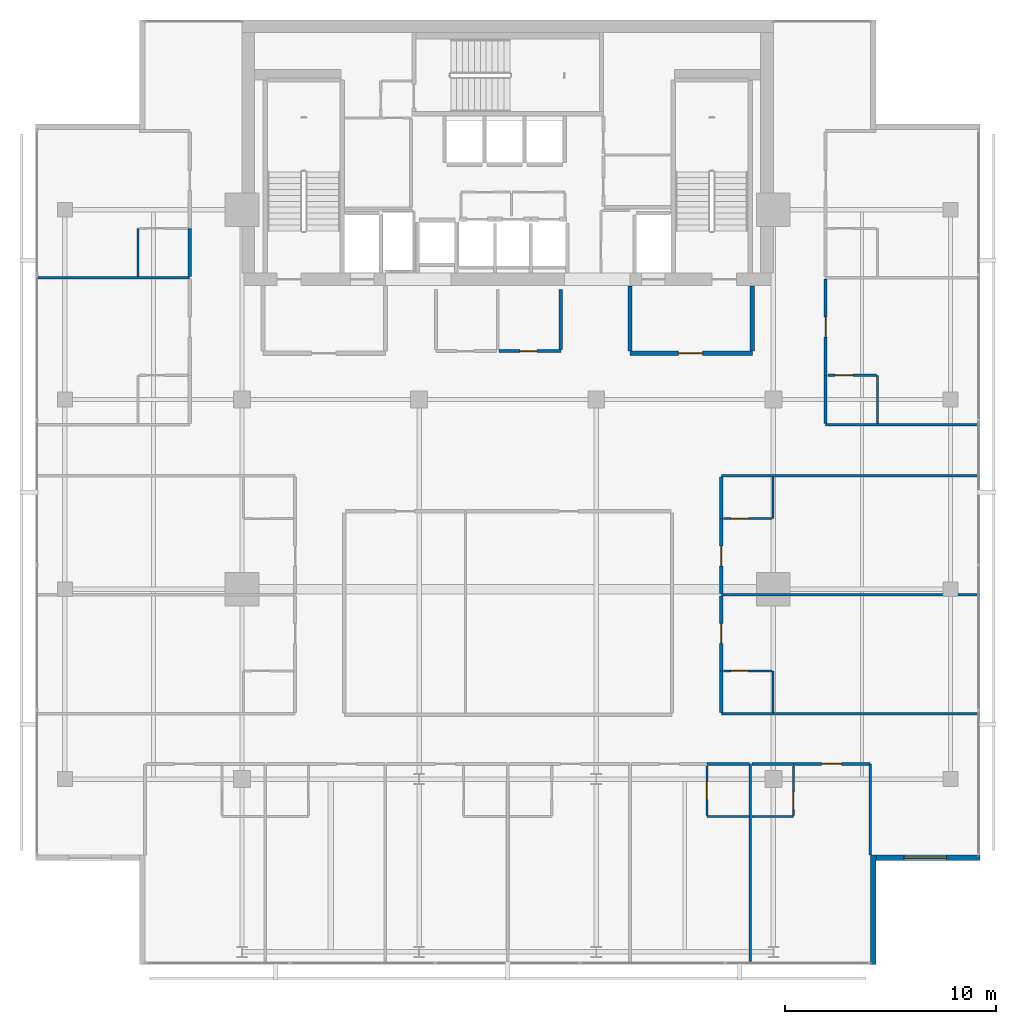
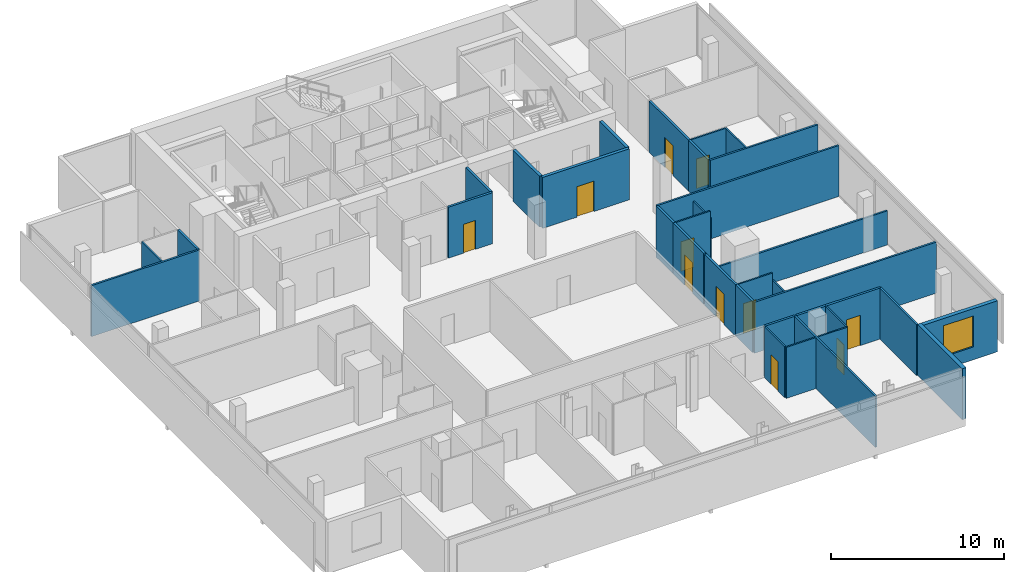
# One storey, part 21 of 26: 35 walls, 11 doors, 1 window, 12 openings.
"""IFC4 building model written with IfcOpenShell, lengths in metres."""

from ifc_helpers import new_model, si_unit, direction, frame, frame_2d, origin, place, context, subcontext, project, spatial, rectangle, extrude, material, layer, layer_set, type_object, element, fill, save


model = new_model("IFC4")

# Units and contexts
model_context = context("Model", 3, precision=1e-05, world=origin(), true_north=direction((0.0, 1.0)))
body_context = subcontext(model_context, "Body", "Model", "MODEL_VIEW")
ifc_project = project(units=[si_unit("LENGTHUNIT", "METRE"), si_unit("AREAUNIT", "SQUARE_METRE"), si_unit("VOLUMEUNIT", "CUBIC_METRE"), si_unit("PLANEANGLEUNIT", "RADIAN"), si_unit("MASSUNIT", "GRAM", prefix="KILO")], contexts=[model_context])

# Site, building, storey
site_placement = place(None, origin())
site = spatial("IfcSite", under=ifc_project, at=site_placement, CompositionType="ELEMENT")
building_placement = place(site_placement, origin())
building = spatial("IfcBuilding", under=site, at=building_placement, Name="Maruvema Waterfront Hotel and Observation Tower", CompositionType="ELEMENT")
storey_placement = place(building_placement, frame((0.0, 0.0, 243.25)))
storey = spatial("IfcBuildingStorey", under=building, at=storey_placement, Name="L59", CompositionType="ELEMENT", Elevation=243.25)

# Wall, opening, door
ifc_material_1 = material(Name="Twin-stud acoustic gypsum drywall", Category="gypsum")
ifc_layer_1 = layer(ifc_material_1, 0.14990234375, Name="Acoustic Corridor and Suite Demising Wall 150 mm")
ifc_layer_set_1 = layer_set([ifc_layer_1], Name="Twin-stud acoustic gypsum drywall")
wall_type_1 = type_object("IfcWallType", Name="Acoustic Corridor and Suite Demising Wall 150 mm", PredefinedType="PARTITIONING", material=ifc_layer_set_1)
wall_1_placement = place(storey_placement, frame((37.3798828125, 38.300048828125, 0.0), z_axis=(0.0, 0.0, 1.0), x_axis=(1.0, 0.0, 0.0)))
wall_1 = element("IfcWall", 1, at=wall_1_placement, inside=storey, type_object=wall_type_1, Name="L59 Core Apron K2B South 027", PredefinedType="PARTITIONING", context=body_context, shape_type="SweptSolid", body=[
    extrude(rectangle(XDim=2.940185546875, YDim=0.14990234375, at=frame_2d((1.47021484375, 0.0))), origin(), (0.0, 0.0, 1.0), 3.610107421875),
])
opening_1_placement = place(wall_1_placement, frame((1.0, 0.0, 0.0)))
opening_1 = element("IfcOpeningElement", 2, at=opening_1_placement, cuts=wall_1, Name="Opening DR-080", PredefinedType="OPENING", context=body_context, shape_type="SweptSolid", body=[
    extrude(rectangle(XDim=0.800048828125, YDim=2.050048828125, at=frame_2d((0.39990234375, 1.02490234375))), frame((0.0, 0.0849609375, 0.0), z_axis=(0.0, -1.0, 0.0), x_axis=(1.0, 0.0, 0.0)), (0.0, 0.0, 1.0), 0.169921875),
])
ifc_material_2 = material(Name="Powder-coated steel access leaf", Category="steel")
door_type_1 = type_object("IfcDoorType", Name="Riser and Service Cupboard Door 800x2050 mm", OperationType="NOTDEFINED", PredefinedType="DOOR", material=ifc_material_2)
door_1_placement = place(opening_1_placement, frame((0.800048828125, 0.0, 0.0), z_axis=(0.0, 0.0, 1.0), x_axis=(-1.0, 0.0, 0.0)))
door_1 = element("IfcDoor", 3, at=door_1_placement, inside=storey, type_object=door_type_1, Name="L59 Core Valet Closet Door", OperationType="SINGLE_SWING_LEFT", OverallHeight=2.050048828125, OverallWidth=0.800048828125, PredefinedType="DOOR", context=body_context, shape_type="SweptSolid", body=[
    extrude(rectangle(XDim=0.800048828125, YDim=2.050048828125, at=frame_2d((0.39990234375, 1.02490234375))), frame((0.0, 0.02490234375, 0.0), z_axis=(0.0, -1.0, 0.0), x_axis=(1.0, 0.0, 0.0)), (0.0, 0.0, 1.0), 0.050048828125),
])
fill(opening_1, door_1)

# Walls
wall_2_placement = place(storey_placement, frame((40.320068359375, 38.3798828125, 0.0), z_axis=(0.0, 0.0, 1.0), x_axis=(0.0, 1.0, 0.0)))
element("IfcWall", 4, at=wall_2_placement, inside=storey, type_object=wall_type_1, Name="L59 Core Apron K2 East 030", PredefinedType="PARTITIONING", context=body_context, shape_type="SweptSolid", body=[
    extrude(rectangle(XDim=2.840087890625, YDim=0.14990234375, at=frame_2d((1.419921875, 0.0))), origin(), (0.0, 0.0, 1.0), 3.610107421875),
])
wall_3_placement = place(storey_placement, frame((47.25, 18.719970703125, 0.0), z_axis=(0.0, 0.0, 1.0), x_axis=(1.0, 0.0, 0.0)))
element("IfcWall", 5, at=wall_3_placement, inside=storey, type_object=wall_type_1, Name="L59 Bath L59-S5 Back Wall 059", PredefinedType="PARTITIONING", context=body_context, shape_type="SweptSolid", body=[
    extrude(rectangle(XDim=2.030029296875, YDim=0.14990234375, at=frame_2d((1.01513671875, 0.0))), origin(), (0.0, 0.0, 1.0), 3.610107421875),
])
wall_4_placement = place(storey_placement, frame((49.3798828125, 18.719970703125, 0.0), z_axis=(0.0, 0.0, 1.0), x_axis=(1.0, 0.0, 0.0)))
element("IfcWall", 6, at=wall_4_placement, inside=storey, type_object=wall_type_1, Name="L59 Bath L59-S6 Back Wall 064", PredefinedType="PARTITIONING", context=body_context, shape_type="SweptSolid", body=[
    extrude(rectangle(XDim=1.97021484375, YDim=0.14990234375, at=frame_2d((0.985107421875, 0.0))), origin(), (0.0, 0.0, 1.0), 3.610107421875),
])

# Wall, opening, door
wall_5_placement = place(storey_placement, frame((51.35009765625, 18.719970703125, 0.0), z_axis=(0.0, 0.0, 1.0), x_axis=(1.0, 0.0, 0.0)))
wall_5 = element("IfcWall", 7, at=wall_5_placement, inside=storey, type_object=wall_type_1, Name="L59 Unit L59-S6 Corridor Wall 067", PredefinedType="PARTITIONING", context=body_context, shape_type="SweptSolid", body=[
    extrude(rectangle(XDim=3.6298828125, YDim=0.14990234375, at=frame_2d((1.81494140625, 0.0))), origin(), (0.0, 0.0, 1.0), 3.610107421875),
])
opening_2_placement = place(wall_5_placement, frame((1.340087890625, 0.0, 0.0)))
opening_2 = element("IfcOpeningElement", 8, at=opening_2_placement, cuts=wall_5, Name="Opening DR-095", PredefinedType="OPENING", context=body_context, shape_type="SweptSolid", body=[
    extrude(rectangle(XDim=0.949951171875, YDim=2.14990234375, at=frame_2d((0.47509765625, 1.074951171875))), frame((0.0, 0.0849609375, 0.0), z_axis=(0.0, -1.0, 0.0), x_axis=(1.0, 0.0, 0.0)), (0.0, 0.0, 1.0), 0.169921875),
])
ifc_material_3 = material(Name="Acoustic solid-core hardwood timber leaf", Category="wood")
door_type_2 = type_object("IfcDoorType", Name="Guestroom Entrance Fire Door 950x2150 mm", OperationType="NOTDEFINED", PredefinedType="DOOR", material=ifc_material_3)
door_2_placement = place(opening_2_placement, frame((0.949951171875, 0.0, 0.0), z_axis=(0.0, 0.0, 1.0), x_axis=(-1.0, 0.0, 0.0)))
door_2 = element("IfcDoor", 9, at=door_2_placement, inside=storey, type_object=door_type_2, Name="L59 Unit L59-S6 Entrance Door", OperationType="SINGLE_SWING_LEFT", OverallHeight=2.14990234375, OverallWidth=0.949951171875, PredefinedType="DOOR", context=body_context, shape_type="SweptSolid", body=[
    extrude(rectangle(XDim=0.949951171875, YDim=2.14990234375, at=frame_2d((0.47509765625, 1.074951171875))), frame((0.0, 0.02490234375, 0.0), z_axis=(0.0, -1.0, 0.0), x_axis=(1.0, 0.0, 0.0)), (0.0, 0.0, 1.0), 0.050048828125),
])
fill(opening_2, door_2)

# Wall
wall_6_placement = place(storey_placement, frame((47.929931640625, 21.159912109375, 0.0), z_axis=(0.0, 0.0, 1.0), x_axis=(0.0, 1.0, 0.0)))
element("IfcWall", 10, at=wall_6_placement, inside=storey, type_object=wall_type_1, Name="L59 Bath L59-E1 Wall 076", PredefinedType="PARTITIONING", context=body_context, shape_type="SweptSolid", body=[
    extrude(rectangle(XDim=1.969970703125, YDim=0.14990234375, at=frame_2d((0.98486328125, 0.0))), origin(), (0.0, 0.0, 1.0), 3.610107421875),
])

# Wall, opening, door
wall_7_placement = place(storey_placement, frame((47.929931640625, 23.1298828125, 0.0), z_axis=(0.0, 0.0, 1.0), x_axis=(0.0, 1.0, 0.0)))
wall_7 = element("IfcWall", 11, at=wall_7_placement, inside=storey, type_object=wall_type_1, Name="L59 Room L59-E1 Corridor Wall 077", PredefinedType="PARTITIONING", context=body_context, shape_type="SweptSolid", body=[
    extrude(rectangle(XDim=3.550048828125, YDim=0.14990234375, at=frame_2d((1.77490234375, 0.0))), origin(), (0.0, 0.0, 1.0), 3.610107421875),
])
opening_3_placement = place(wall_7_placement, frame((1.300048828125, 0.0, 0.0)))
opening_3 = element("IfcOpeningElement", 12, at=opening_3_placement, cuts=wall_7, Name="Opening DR-095", PredefinedType="OPENING", context=body_context, shape_type="SweptSolid", body=[
    extrude(rectangle(XDim=0.949951171875, YDim=2.14990234375, at=frame_2d((0.47509765625, 1.074951171875))), frame((0.0, 0.0849609375, 0.0), z_axis=(0.0, -1.0, 0.0), x_axis=(1.0, 0.0, 0.0)), (0.0, 0.0, 1.0), 0.169921875),
])
door_3_placement = place(opening_3_placement, frame((0.949951171875, 0.0, 0.0), z_axis=(0.0, 0.0, 1.0), x_axis=(-1.0, 0.0, 0.0)))
door_3 = element("IfcDoor", 13, at=door_3_placement, inside=storey, type_object=door_type_2, Name="L59 Room L59-E1 Entrance Door", OperationType="SINGLE_SWING_LEFT", OverallHeight=2.14990234375, OverallWidth=0.949951171875, PredefinedType="DOOR", context=body_context, shape_type="SweptSolid", body=[
    extrude(rectangle(XDim=0.949951171875, YDim=2.14990234375, at=frame_2d((0.47509765625, 1.074951171875))), frame((0.0, 0.02490234375, 0.0), z_axis=(0.0, -1.0, 0.0), x_axis=(1.0, 0.0, 0.0)), (0.0, 0.0, 1.0), 0.050048828125),
])
fill(opening_3, door_3)

wall_8_placement = place(storey_placement, frame((47.929931640625, 26.800048828125, 0.0), z_axis=(0.0, 0.0, 1.0), x_axis=(0.0, 1.0, 0.0)))
wall_8 = element("IfcWall", 14, at=wall_8_placement, inside=storey, type_object=wall_type_1, Name="L59 Room L59-E2 Corridor Wall 086", PredefinedType="PARTITIONING", context=body_context, shape_type="SweptSolid", body=[
    extrude(rectangle(XDim=3.550048828125, YDim=0.14990234375, at=frame_2d((1.77490234375, 0.0))), origin(), (0.0, 0.0, 1.0), 3.610107421875),
])
opening_4_placement = place(wall_8_placement, frame((1.300048828125, 0.0, 0.0)))
opening_4 = element("IfcOpeningElement", 15, at=opening_4_placement, cuts=wall_8, Name="Opening DR-095", PredefinedType="OPENING", context=body_context, shape_type="SweptSolid", body=[
    extrude(rectangle(XDim=0.949951171875, YDim=2.14990234375, at=frame_2d((0.47509765625, 1.074951171875))), frame((0.0, 0.0849609375, 0.0), z_axis=(0.0, -1.0, 0.0), x_axis=(1.0, 0.0, 0.0)), (0.0, 0.0, 1.0), 0.169921875),
])
door_4_placement = place(opening_4_placement, frame((0.949951171875, 0.0, 0.0), z_axis=(0.0, 0.0, 1.0), x_axis=(-1.0, 0.0, 0.0)))
door_4 = element("IfcDoor", 16, at=door_4_placement, inside=storey, type_object=door_type_2, Name="L59 Room L59-E2 Entrance Door", OperationType="SINGLE_SWING_LEFT", OverallHeight=2.14990234375, OverallWidth=0.949951171875, PredefinedType="DOOR", context=body_context, shape_type="SweptSolid", body=[
    extrude(rectangle(XDim=0.949951171875, YDim=2.14990234375, at=frame_2d((0.47509765625, 1.074951171875))), frame((0.0, 0.02490234375, 0.0), z_axis=(0.0, -1.0, 0.0), x_axis=(1.0, 0.0, 0.0)), (0.0, 0.0, 1.0), 0.050048828125),
])
fill(opening_4, door_4)

# Walls
wall_9_placement = place(storey_placement, frame((47.929931640625, 30.35009765625, 0.0), z_axis=(0.0, 0.0, 1.0), x_axis=(0.0, 1.0, 0.0)))
element("IfcWall", 17, at=wall_9_placement, inside=storey, type_object=wall_type_1, Name="L59 Bath L59-E2 Wall 087", PredefinedType="PARTITIONING", context=body_context, shape_type="SweptSolid", body=[
    extrude(rectangle(XDim=1.969970703125, YDim=0.14990234375, at=frame_2d((0.98486328125, 0.0))), origin(), (0.0, 0.0, 1.0), 3.610107421875),
])
wall_10_placement = place(storey_placement, frame((52.8798828125, 34.860107421875, 0.0), z_axis=(0.0, 0.0, 1.0), x_axis=(0.0, 1.0, 0.0)))
element("IfcWall", 18, at=wall_10_placement, inside=storey, type_object=wall_type_1, Name="L59 Bath L59-NE1 Wall 098", PredefinedType="PARTITIONING", context=body_context, shape_type="SweptSolid", body=[
    extrude(rectangle(XDim=2.289794921875, YDim=0.14990234375, at=frame_2d((1.14501953125, 0.0))), origin(), (0.0, 0.0, 1.0), 3.610107421875),
])

# Wall, opening, door
wall_11_placement = place(storey_placement, frame((52.8798828125, 37.14990234375, 0.0), z_axis=(0.0, 0.0, 1.0), x_axis=(0.0, 1.0, 0.0)))
wall_11 = element("IfcWall", 19, at=wall_11_placement, inside=storey, type_object=wall_type_1, Name="L59 Room L59-NE1 Corridor Wall 099", PredefinedType="PARTITIONING", context=body_context, shape_type="SweptSolid", body=[
    extrude(rectangle(XDim=4.558837890625, YDim=0.14990234375, at=frame_2d((2.279296875, 0.0))), origin(), (0.0, 0.0, 1.0), 3.610107421875),
])
opening_5_placement = place(wall_11_placement, frame((1.804443359375, 0.0, 0.0)))
opening_5 = element("IfcOpeningElement", 20, at=opening_5_placement, cuts=wall_11, Name="Opening DR-095", PredefinedType="OPENING", context=body_context, shape_type="SweptSolid", body=[
    extrude(rectangle(XDim=0.949951171875, YDim=2.14990234375, at=frame_2d((0.47509765625, 1.074951171875))), frame((0.0, 0.0849609375, 0.0), z_axis=(0.0, -1.0, 0.0), x_axis=(1.0, 0.0, 0.0)), (0.0, 0.0, 1.0), 0.169921875),
])
door_5_placement = place(opening_5_placement, frame((0.949951171875, 0.0, 0.0), z_axis=(0.0, 0.0, 1.0), x_axis=(-1.0, 0.0, 0.0)))
door_5 = element("IfcDoor", 21, at=door_5_placement, inside=storey, type_object=door_type_2, Name="L59 Room L59-NE1 Entrance Door", OperationType="SINGLE_SWING_LEFT", OverallHeight=2.14990234375, OverallWidth=0.949951171875, PredefinedType="DOOR", context=body_context, shape_type="SweptSolid", body=[
    extrude(rectangle(XDim=0.949951171875, YDim=2.14990234375, at=frame_2d((0.47509765625, 1.074951171875))), frame((0.0, 0.02490234375, 0.0), z_axis=(0.0, -1.0, 0.0), x_axis=(1.0, 0.0, 0.0)), (0.0, 0.0, 1.0), 0.050048828125),
])
fill(opening_5, door_5)

# Walls
wall_12_placement = place(storey_placement, frame((22.719970703125, 41.82861328125, 0.0), z_axis=(0.0, 0.0, 1.0), x_axis=(0.0, 1.0, 0.0)))
element("IfcWall", 22, at=wall_12_placement, inside=storey, type_object=wall_type_1, Name="L59 Bath L59-NW2 Wall 104", PredefinedType="PARTITIONING", context=body_context, shape_type="SweptSolid", body=[
    extrude(rectangle(XDim=2.2900390625, YDim=0.14990234375, at=frame_2d((1.14501953125, 0.0))), origin(), (0.0, 0.0, 1.0), 3.610107421875),
])
ifc_material_4 = material(Name="Moisture-resistant cement-board drywall", Category="gypsum")
ifc_layer_2 = layer(ifc_material_4, 0.10009765625, Name="En-Suite Moisture-Resistant Partition 100 mm")
ifc_layer_set_2 = layer_set([ifc_layer_2], Name="Moisture-resistant cement-board drywall")
wall_type_2 = type_object("IfcWallType", Name="En-Suite Moisture-Resistant Partition 100 mm", PredefinedType="PARTITIONING", material=ifc_layer_set_2)
wall_13_placement = place(storey_placement, frame((47.25, 16.219970703125, 0.0), z_axis=(0.0, 0.0, 1.0), x_axis=(1.0, 0.0, 0.0)))
element("IfcWall", 23, at=wall_13_placement, inside=storey, type_object=wall_type_2, Name="L59 En-Suite L59-S5 South 060", PredefinedType="PARTITIONING", context=body_context, shape_type="SweptSolid", body=[
    extrude(rectangle(XDim=2.010009765625, YDim=0.10009765625, at=frame_2d((1.0048828125, 0.0))), origin(), (0.0, 0.0, 1.0), 3.610107421875),
])

# Wall, opening, door
wall_14_placement = place(storey_placement, frame((47.25, 16.280029296875, 0.0), z_axis=(0.0, 0.0, 1.0), x_axis=(0.0, 1.0, 0.0)))
wall_14 = element("IfcWall", 24, at=wall_14_placement, inside=storey, type_object=wall_type_2, Name="L59 En-Suite L59-S5 West 061", PredefinedType="PARTITIONING", context=body_context, shape_type="SweptSolid", body=[
    extrude(rectangle(XDim=2.340087890625, YDim=0.10009765625, at=frame_2d((1.169921875, 0.0))), origin(), (0.0, 0.0, 1.0), 3.610107421875),
])
opening_6_placement = place(wall_14_placement, frame((0.7451171875, 0.0, 0.0)))
opening_6 = element("IfcOpeningElement", 25, at=opening_6_placement, cuts=wall_14, Name="Opening DR-085", PredefinedType="OPENING", context=body_context, shape_type="SweptSolid", body=[
    extrude(rectangle(XDim=0.85009765625, YDim=2.10009765625, at=frame_2d((0.425048828125, 1.050048828125))), frame((0.0, 0.06005859375, 0.0), z_axis=(0.0, -1.0, 0.0), x_axis=(1.0, 0.0, 0.0)), (0.0, 0.0, 1.0), 0.1201171875),
])
ifc_material_5 = material(Name="Moisture-resistant solid timber leaf", Category="wood")
door_type_3 = type_object("IfcDoorType", Name="En-Suite Bathroom Door 850x2100 mm", OperationType="NOTDEFINED", PredefinedType="DOOR", material=ifc_material_5)
door_6_placement = place(opening_6_placement, origin())
door_6 = element("IfcDoor", 26, at=door_6_placement, inside=storey, type_object=door_type_3, Name="L59 En-Suite L59-S5 Door", OperationType="SINGLE_SWING_RIGHT", OverallHeight=2.10009765625, OverallWidth=0.85009765625, PredefinedType="DOOR", context=body_context, shape_type="SweptSolid", body=[
    extrude(rectangle(XDim=0.85009765625, YDim=2.10009765625, at=frame_2d((0.425048828125, 1.050048828125))), frame((0.0, 0.02490234375, 0.0), z_axis=(0.0, -1.0, 0.0), x_axis=(1.0, 0.0, 0.0)), (0.0, 0.0, 1.0), 0.050048828125),
])
fill(opening_6, door_6)

# Wall
wall_15_placement = place(storey_placement, frame((49.3798828125, 16.219970703125, 0.0), z_axis=(0.0, 0.0, 1.0), x_axis=(1.0, 0.0, 0.0)))
element("IfcWall", 27, at=wall_15_placement, inside=storey, type_object=wall_type_2, Name="L59 En-Suite L59-S6 South 065", PredefinedType="PARTITIONING", context=body_context, shape_type="SweptSolid", body=[
    extrude(rectangle(XDim=1.97021484375, YDim=0.10009765625, at=frame_2d((0.985107421875, 0.0))), origin(), (0.0, 0.0, 1.0), 3.610107421875),
])

# Wall, opening, door
wall_16_placement = place(storey_placement, frame((51.35009765625, 16.280029296875, 0.0), z_axis=(0.0, 0.0, 1.0), x_axis=(0.0, 1.0, 0.0)))
wall_16 = element("IfcWall", 28, at=wall_16_placement, inside=storey, type_object=wall_type_2, Name="L59 En-Suite L59-S6 East 066", PredefinedType="PARTITIONING", context=body_context, shape_type="SweptSolid", body=[
    extrude(rectangle(XDim=2.340087890625, YDim=0.10009765625, at=frame_2d((1.169921875, 0.0))), origin(), (0.0, 0.0, 1.0), 3.610107421875),
])
opening_7_placement = place(wall_16_placement, frame((0.264892578125, 0.0, 0.0)))
opening_7 = element("IfcOpeningElement", 29, at=opening_7_placement, cuts=wall_16, Name="Opening DR-085", PredefinedType="OPENING", context=body_context, shape_type="SweptSolid", body=[
    extrude(rectangle(XDim=0.85009765625, YDim=2.10009765625, at=frame_2d((0.425048828125, 1.050048828125))), frame((0.0, 0.06005859375, 0.0), z_axis=(0.0, -1.0, 0.0), x_axis=(1.0, 0.0, 0.0)), (0.0, 0.0, 1.0), 0.1201171875),
])
door_7_placement = place(opening_7_placement, frame((0.85009765625, 0.0, 0.0), z_axis=(0.0, 0.0, 1.0), x_axis=(-1.0, 0.0, 0.0)))
door_7 = element("IfcDoor", 30, at=door_7_placement, inside=storey, type_object=door_type_3, Name="L59 En-Suite L59-S6 Door", OperationType="SINGLE_SWING_RIGHT", OverallHeight=2.10009765625, OverallWidth=0.85009765625, PredefinedType="DOOR", context=body_context, shape_type="SweptSolid", body=[
    extrude(rectangle(XDim=0.85009765625, YDim=2.10009765625, at=frame_2d((0.425048828125, 1.050048828125))), frame((0.0, 0.02490234375, 0.0), z_axis=(0.0, -1.0, 0.0), x_axis=(1.0, 0.0, 0.0)), (0.0, 0.0, 1.0), 0.050048828125),
])
fill(opening_7, door_7)

# Wall
wall_17_placement = place(storey_placement, frame((50.3798828125, 21.159912109375, 0.0), z_axis=(0.0, 0.0, 1.0), x_axis=(0.0, 1.0, 0.0)))
element("IfcWall", 31, at=wall_17_placement, inside=storey, type_object=wall_type_2, Name="L59 En-Suite L59-E1 E 078", PredefinedType="PARTITIONING", context=body_context, shape_type="SweptSolid", body=[
    extrude(rectangle(XDim=1.969970703125, YDim=0.10009765625, at=frame_2d((0.98486328125, 0.0))), origin(), (0.0, 0.0, 1.0), 3.076904296875),
])

# Wall, opening, door
wall_18_placement = place(storey_placement, frame((48.030029296875, 23.1298828125, 0.0), z_axis=(0.0, 0.0, 1.0), x_axis=(1.0, 0.0, 0.0)))
wall_18 = element("IfcWall", 32, at=wall_18_placement, inside=storey, type_object=wall_type_2, Name="L59 En-Suite L59-E1 N 079", PredefinedType="PARTITIONING", context=body_context, shape_type="SweptSolid", body=[
    extrude(rectangle(XDim=2.300048828125, YDim=0.10009765625, at=frame_2d((1.14990234375, 0.0))), origin(), (0.0, 0.0, 1.0), 3.610107421875),
])
opening_8_placement = place(wall_18_placement, frame((0.35009765625, 0.0, 0.0)))
opening_8 = element("IfcOpeningElement", 33, at=opening_8_placement, cuts=wall_18, Name="Opening DR-085", PredefinedType="OPENING", context=body_context, shape_type="SweptSolid", body=[
    extrude(rectangle(XDim=0.85009765625, YDim=2.10009765625, at=frame_2d((0.425048828125, 1.050048828125))), frame((0.0, 0.06005859375, 0.0), z_axis=(0.0, -1.0, 0.0), x_axis=(1.0, 0.0, 0.0)), (0.0, 0.0, 1.0), 0.1201171875),
])
door_8_placement = place(opening_8_placement, origin())
door_8 = element("IfcDoor", 34, at=door_8_placement, inside=storey, type_object=door_type_3, Name="L59 En-Suite L59-E1 Door", OperationType="SINGLE_SWING_RIGHT", OverallHeight=2.10009765625, OverallWidth=0.85009765625, PredefinedType="DOOR", context=body_context, shape_type="SweptSolid", body=[
    extrude(rectangle(XDim=0.85009765625, YDim=2.10009765625, at=frame_2d((0.425048828125, 1.050048828125))), frame((0.0, 0.02490234375, 0.0), z_axis=(0.0, -1.0, 0.0), x_axis=(1.0, 0.0, 0.0)), (0.0, 0.0, 1.0), 0.050048828125),
])
fill(opening_8, door_8)

# Wall
wall_19_placement = place(storey_placement, frame((50.3798828125, 30.35009765625, 0.0), z_axis=(0.0, 0.0, 1.0), x_axis=(0.0, 1.0, 0.0)))
element("IfcWall", 35, at=wall_19_placement, inside=storey, type_object=wall_type_2, Name="L59 En-Suite L59-E2 E 088", PredefinedType="PARTITIONING", context=body_context, shape_type="SweptSolid", body=[
    extrude(rectangle(XDim=1.969970703125, YDim=0.10009765625, at=frame_2d((0.98486328125, 0.0))), origin(), (0.0, 0.0, 1.0), 3.076904296875),
])

# Wall, opening, door
wall_20_placement = place(storey_placement, frame((48.030029296875, 30.35009765625, 0.0), z_axis=(0.0, 0.0, 1.0), x_axis=(1.0, 0.0, 0.0)))
wall_20 = element("IfcWall", 36, at=wall_20_placement, inside=storey, type_object=wall_type_2, Name="L59 En-Suite L59-E2 S 089", PredefinedType="PARTITIONING", context=body_context, shape_type="SweptSolid", body=[
    extrude(rectangle(XDim=2.300048828125, YDim=0.10009765625, at=frame_2d((1.14990234375, 0.0))), origin(), (0.0, 0.0, 1.0), 3.610107421875),
])
opening_9_placement = place(wall_20_placement, frame((0.35009765625, 0.0, 0.0)))
opening_9 = element("IfcOpeningElement", 37, at=opening_9_placement, cuts=wall_20, Name="Opening DR-085", PredefinedType="OPENING", context=body_context, shape_type="SweptSolid", body=[
    extrude(rectangle(XDim=0.85009765625, YDim=2.10009765625, at=frame_2d((0.425048828125, 1.050048828125))), frame((0.0, 0.06005859375, 0.0), z_axis=(0.0, -1.0, 0.0), x_axis=(1.0, 0.0, 0.0)), (0.0, 0.0, 1.0), 0.1201171875),
])
door_9_placement = place(opening_9_placement, frame((0.85009765625, 0.0, 0.0), z_axis=(0.0, 0.0, 1.0), x_axis=(-1.0, 0.0, 0.0)))
door_9 = element("IfcDoor", 38, at=door_9_placement, inside=storey, type_object=door_type_3, Name="L59 En-Suite L59-E2 Door", OperationType="SINGLE_SWING_RIGHT", OverallHeight=2.10009765625, OverallWidth=0.85009765625, PredefinedType="DOOR", context=body_context, shape_type="SweptSolid", body=[
    extrude(rectangle(XDim=0.85009765625, YDim=2.10009765625, at=frame_2d((0.425048828125, 1.050048828125))), frame((0.0, 0.02490234375, 0.0), z_axis=(0.0, -1.0, 0.0), x_axis=(1.0, 0.0, 0.0)), (0.0, 0.0, 1.0), 0.050048828125),
])
fill(opening_9, door_9)

# Wall
wall_21_placement = place(storey_placement, frame((55.330078125, 34.860107421875, 0.0), z_axis=(0.0, 0.0, 1.0), x_axis=(0.0, 1.0, 0.0)))
element("IfcWall", 39, at=wall_21_placement, inside=storey, type_object=wall_type_2, Name="L59 En-Suite L59-NE1 E 100", PredefinedType="PARTITIONING", context=body_context, shape_type="SweptSolid", body=[
    extrude(rectangle(XDim=2.289794921875, YDim=0.10009765625, at=frame_2d((1.14501953125, 0.0))), origin(), (0.0, 0.0, 1.0), 3.610107421875),
])

# Wall, opening, door
wall_22_placement = place(storey_placement, frame((52.97998046875, 37.14990234375, 0.0), z_axis=(0.0, 0.0, 1.0), x_axis=(1.0, 0.0, 0.0)))
wall_22 = element("IfcWall", 40, at=wall_22_placement, inside=storey, type_object=wall_type_2, Name="L59 En-Suite L59-NE1 N 101", PredefinedType="PARTITIONING", context=body_context, shape_type="SweptSolid", body=[
    extrude(rectangle(XDim=2.300048828125, YDim=0.10009765625, at=frame_2d((1.14990234375, 0.0))), origin(), (0.0, 0.0, 1.0), 3.610107421875),
])
opening_10_placement = place(wall_22_placement, frame((0.35009765625, 0.0, 0.0)))
opening_10 = element("IfcOpeningElement", 41, at=opening_10_placement, cuts=wall_22, Name="Opening DR-085", PredefinedType="OPENING", context=body_context, shape_type="SweptSolid", body=[
    extrude(rectangle(XDim=0.85009765625, YDim=2.10009765625, at=frame_2d((0.425048828125, 1.050048828125))), frame((0.0, 0.06005859375, 0.0), z_axis=(0.0, -1.0, 0.0), x_axis=(1.0, 0.0, 0.0)), (0.0, 0.0, 1.0), 0.1201171875),
])
door_10_placement = place(opening_10_placement, origin())
door_10 = element("IfcDoor", 42, at=door_10_placement, inside=storey, type_object=door_type_3, Name="L59 En-Suite L59-NE1 Door", OperationType="SINGLE_SWING_RIGHT", OverallHeight=2.10009765625, OverallWidth=0.85009765625, PredefinedType="DOOR", context=body_context, shape_type="SweptSolid", body=[
    extrude(rectangle(XDim=0.85009765625, YDim=2.10009765625, at=frame_2d((0.425048828125, 1.050048828125))), frame((0.0, 0.02490234375, 0.0), z_axis=(0.0, -1.0, 0.0), x_axis=(1.0, 0.0, 0.0)), (0.0, 0.0, 1.0), 0.050048828125),
])
fill(opening_10, door_10)

# Walls
wall_23_placement = place(storey_placement, frame((20.27001953125, 41.82861328125, 0.0), z_axis=(0.0, 0.0, 1.0), x_axis=(0.0, 1.0, 0.0)))
element("IfcWall", 43, at=wall_23_placement, inside=storey, type_object=wall_type_2, Name="L59 En-Suite L59-NW2 W 106", PredefinedType="PARTITIONING", context=body_context, shape_type="SweptSolid", body=[
    extrude(rectangle(XDim=2.2900390625, YDim=0.10009765625, at=frame_2d((1.14501953125, 0.0))), origin(), (0.0, 0.0, 1.0), 3.610107421875),
])
ifc_material_6 = material(Name="Precast concrete C45/55 with honed Pernambuco granite facing", Category="masonry")
ifc_layer_3 = layer(ifc_material_6, 0.260009765625, Name="Exterior Granite Clad Spandrel and Pier Wall 260 mm")
ifc_layer_set_3 = layer_set([ifc_layer_3], Name="Precast concrete C45/55 with honed Pernambuco granite facing")
wall_type_3 = type_object("IfcWallType", Name="Exterior Granite Clad Spandrel and Pier Wall 260 mm", PredefinedType="SOLIDWALL", material=ifc_layer_set_3)
wall_24_placement = place(storey_placement, frame((55.1298828125, 14.39990234375, 0.0), z_axis=(0.0, 0.0, 1.0), x_axis=(0.0, -1.0, 0.0)))
element("IfcWall", 44, at=wall_24_placement, inside=storey, type_object=wall_type_3, Name="L59 Corner Notch Granite Pier Wall SE1", PredefinedType="SOLIDWALL", context=body_context, shape_type="SweptSolid", body=[
    extrude(rectangle(XDim=5.199951171875, YDim=0.260009765625, at=frame_2d((2.60009765625, 0.0))), origin(), (0.0, 0.0, 1.0), 3.610107421875),
])

# Wall, opening, window
wall_25_placement = place(storey_placement, frame((60.199951171875, 14.27001953125, 0.0), z_axis=(0.0, 0.0, 1.0), x_axis=(-1.0, 0.0, 0.0)))
wall_25 = element("IfcWall", 45, at=wall_25_placement, inside=storey, type_object=wall_type_3, Name="L59 Corner Notch Granite Pier Wall SE2", PredefinedType="SOLIDWALL", context=body_context, shape_type="SweptSolid", body=[
    extrude(rectangle(XDim=5.199951171875, YDim=0.260009765625, at=frame_2d((2.60009765625, 0.0))), origin(), (0.0, 0.0, 1.0), 3.610107421875),
])
opening_11_placement = place(wall_25_placement, frame((1.60009765625, 0.0, 0.89990234375)))
opening_11 = element("IfcOpeningElement", 46, at=opening_11_placement, cuts=wall_25, Name="Opening WN-03", PredefinedType="OPENING", context=body_context, shape_type="SweptSolid", body=[
    extrude(rectangle(XDim=2.0, YDim=2.199951171875, at=frame_2d((1.0, 1.10009765625))), frame((0.0, 0.14013671875, 0.0), z_axis=(0.0, -1.0, 0.0), x_axis=(1.0, 0.0, 0.0)), (0.0, 0.0, 1.0), 0.280029296875),
])
ifc_material_7 = material(Name="Anodised bronze aluminium frame with laminated low-E glass", Category="aluminium")
window_type = type_object("IfcWindowType", Name="Sky Suite Panoramic Notch Window 2000x2200 mm", PartitioningType="SINGLE_PANEL", PredefinedType="WINDOW", material=ifc_material_7)
window_placement = place(opening_11_placement, origin())
window = element("IfcWindow", 47, at=window_placement, inside=storey, type_object=window_type, Name="L59 Corner Notch Punched Window SE2", OverallHeight=2.199951171875, OverallWidth=2.0, PartitioningType="SINGLE_PANEL", PredefinedType="WINDOW", context=body_context, shape_type="SweptSolid", body=[
    extrude(rectangle(XDim=2.0, YDim=2.199951171875, at=frame_2d((1.0, 1.10009765625))), frame((0.0, 0.030029296875, 0.0), z_axis=(0.0, -1.0, 0.0), x_axis=(1.0, 0.0, 0.0)), (0.0, 0.0, 1.0), 0.06005859375),
])
fill(opening_11, window)

# Wall, opening, door
ifc_material_8 = material(Name="Autoclaved cellular concrete blockwork", Category="masonry")
ifc_layer_4 = layer(ifc_material_8, 0.199951171875, Name="Fire Compartment Masonry Wall 200 mm")
ifc_layer_set_4 = layer_set([ifc_layer_4], Name="Autoclaved cellular concrete blockwork")
wall_type_4 = type_object("IfcWallType", Name="Fire Compartment Masonry Wall 200 mm", PredefinedType="PARTITIONING", material=ifc_layer_set_4)
wall_26_placement = place(storey_placement, frame((43.60009765625, 38.199951171875, 0.0), z_axis=(0.0, 0.0, 1.0), x_axis=(1.0, 0.0, 0.0)))
wall_26 = element("IfcWall", 48, at=wall_26_placement, inside=storey, type_object=wall_type_4, Name="L59 FFL East South Wall 004", PredefinedType="PARTITIONING", context=body_context, shape_type="SweptSolid", body=[
    extrude(rectangle(XDim=5.7998046875, YDim=0.199951171875, at=frame_2d((2.89990234375, 0.0))), origin(), (0.0, 0.0, 1.0), 3.610107421875),
])
opening_12_placement = place(wall_26_placement, frame((2.300048828125, 0.0, 0.0)))
opening_12 = element("IfcOpeningElement", 49, at=opening_12_placement, cuts=wall_26, Name="Opening FD-115", PredefinedType="OPENING", context=body_context, shape_type="SweptSolid", body=[
    extrude(rectangle(XDim=1.14990234375, YDim=2.14990234375, at=frame_2d((0.574951171875, 1.074951171875))), frame((0.0, 0.10986328125, 0.0), z_axis=(0.0, -1.0, 0.0), x_axis=(1.0, 0.0, 0.0)), (0.0, 0.0, 1.0), 0.219970703125),
])
ifc_material_9 = material(Name="Fire-rated galvanised steel and vision glass", Category="steel")
door_type_4 = type_object("IfcDoorType", Name="Firefighting Lobby Fire Door 1150x2150 mm", OperationType="NOTDEFINED", PredefinedType="DOOR", material=ifc_material_9)
door_11_placement = place(opening_12_placement, frame((1.14990234375, 0.0, 0.0), z_axis=(0.0, 0.0, 1.0), x_axis=(-1.0, 0.0, 0.0)))
door_11 = element("IfcDoor", 50, at=door_11_placement, inside=storey, type_object=door_type_4, Name="L59 Firefighting Lobby East Door", OperationType="SINGLE_SWING_LEFT", OverallHeight=2.14990234375, OverallWidth=1.14990234375, PredefinedType="DOOR", context=body_context, shape_type="SweptSolid", body=[
    extrude(rectangle(XDim=1.14990234375, YDim=2.14990234375, at=frame_2d((0.574951171875, 1.074951171875))), frame((0.0, 0.02490234375, 0.0), z_axis=(0.0, -1.0, 0.0), x_axis=(1.0, 0.0, 0.0)), (0.0, 0.0, 1.0), 0.050048828125),
])
fill(opening_12, door_11)

# Walls
for number, where, z_axis, x_axis, name in (
    (51, (43.60009765625, 38.31005859375, 0.0), (0.0, 0.0, 1.0), (0.0, 1.0, 0.0), "L59 FFL East West Wall 005"),
    (52, (49.39990234375, 38.31005859375, 0.0), (0.0, 0.0, 1.0), (0.0, 1.0, 0.0), "L59 FFL East East Wall 006"),
):
    element("IfcWall", number, at=place(storey_placement, frame(where, z_axis=z_axis, x_axis=x_axis)), inside=storey, type_object=wall_type_4, Name=name, PredefinedType="PARTITIONING", context=body_context, shape_type="SweptSolid", body=[
        extrude(rectangle(XDim=3.06982421875, YDim=0.199951171875, at=frame_2d((1.534912109375, 0.0))), origin(), (0.0, 0.0, 1.0), 3.610107421875),
    ])
ifc_material_10 = material(Name="Acoustic gypsum plasterboard drywall", Category="gypsum")
ifc_layer_5 = layer(ifc_material_10, 0.125, Name="Guestroom Acoustic Demising Wall 125 mm")
ifc_layer_set_5 = layer_set([ifc_layer_5], Name="Acoustic gypsum plasterboard drywall")
wall_type_5 = type_object("IfcWallType", Name="Guestroom Acoustic Demising Wall 125 mm", PredefinedType="PARTITIONING", material=ifc_layer_set_5)
wall_27_placement = place(storey_placement, frame((55.0, 14.39990234375, 0.0), z_axis=(0.0, 0.0, 1.0), x_axis=(0.0, 1.0, 0.0)))
element("IfcWall", 53, at=wall_27_placement, inside=storey, type_object=wall_type_5, Name="L59 Z3 S East End 038", PredefinedType="PARTITIONING", context=body_context, shape_type="SweptSolid", body=[
    extrude(rectangle(XDim=4.320068359375, YDim=0.125, at=frame_2d((2.16015625, 0.0))), origin(), (0.0, 0.0, 1.0), 3.610107421875),
])
wall_28_placement = place(storey_placement, frame((49.300048828125, 9.300048828125, 0.0), z_axis=(0.0, 0.0, 1.0), x_axis=(0.0, 1.0, 0.0)))
element("IfcWall", 54, at=wall_28_placement, inside=storey, type_object=wall_type_5, Name="L59 Z3 S Demising 6 063", PredefinedType="PARTITIONING", context=body_context, shape_type="SweptSolid", body=[
    extrude(rectangle(XDim=9.419921875, YDim=0.125, at=frame_2d((4.7099609375, 0.0))), origin(), (0.0, 0.0, 1.0), 3.610107421875),
])
for number, where, z_axis, x_axis, name in (
    (55, (47.929931640625, 21.10009765625, 0.0), (0.0, 0.0, 1.0), (1.0, 0.0, 0.0), "L59 Z3 E Bot End 069"),
    (56, (47.929931640625, 32.3798828125, 0.0), (0.0, 0.0, 1.0), (1.0, 0.0, 0.0), "L59 Z3 E Top End 071"),
):
    element("IfcWall", number, at=place(storey_placement, frame(where, z_axis=z_axis, x_axis=x_axis)), inside=storey, type_object=wall_type_5, Name=name, PredefinedType="PARTITIONING", context=body_context, shape_type="SweptSolid", body=[
        extrude(rectangle(XDim=12.170166015625, YDim=0.125, at=frame_2d((6.0849609375, 0.0))), origin(), (0.0, 0.0, 1.0), 3.610107421875),
    ])
wall_29_placement = place(storey_placement, frame((47.929931640625, 26.739990234375, 0.0), z_axis=(0.0, 0.0, 1.0), x_axis=(1.0, 0.0, 0.0)))
element("IfcWall", 57, at=wall_29_placement, inside=storey, type_object=wall_type_5, Name="L59 Z3 E Demising 2 081", PredefinedType="PARTITIONING", context=body_context, shape_type="SweptSolid", body=[
    extrude(rectangle(XDim=12.170166015625, YDim=0.125, at=frame_2d((6.0849609375, 0.0))), origin(), (0.0, 0.0, 1.0), 2.409912109375),
])
wall_30_placement = place(storey_placement, frame((52.8798828125, 34.800048828125, 0.0), z_axis=(0.0, 0.0, 1.0), x_axis=(1.0, 0.0, 0.0)))
element("IfcWall", 58, at=wall_30_placement, inside=storey, type_object=wall_type_5, Name="L59 Z3 NE Bot End 091", PredefinedType="PARTITIONING", context=body_context, shape_type="SweptSolid", body=[
    extrude(rectangle(XDim=7.22021484375, YDim=0.125, at=frame_2d((3.610107421875, 0.0))), origin(), (0.0, 0.0, 1.0), 3.610107421875),
])
wall_31_placement = place(storey_placement, frame((15.5, 41.768798828125, 0.0), z_axis=(0.0, 0.0, 1.0), x_axis=(1.0, 0.0, 0.0)))
element("IfcWall", 59, at=wall_31_placement, inside=storey, type_object=wall_type_5, Name="L59 Z3 NW Demising 2 102", PredefinedType="PARTITIONING", context=body_context, shape_type="SweptSolid", body=[
    extrude(rectangle(XDim=7.219970703125, YDim=0.125, at=frame_2d((3.60986328125, 0.0))), origin(), (0.0, 0.0, 1.0), 3.610107421875),
])

save(model, "model.ifc")
